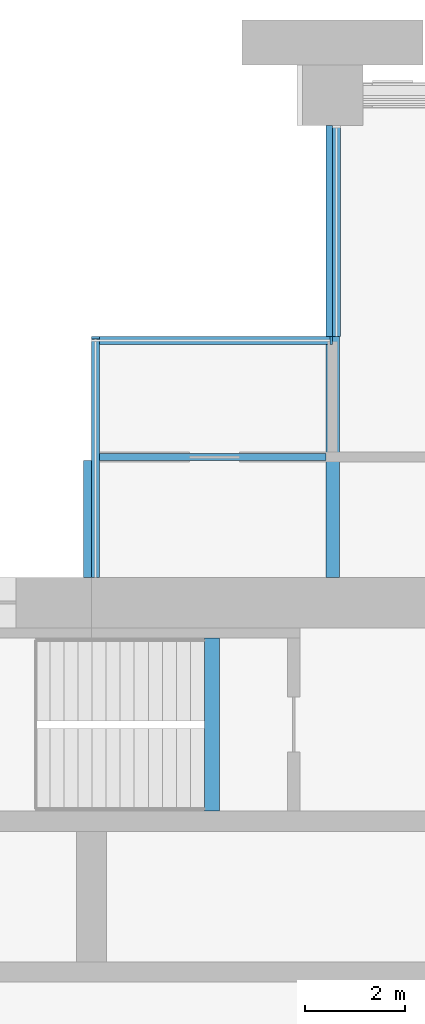
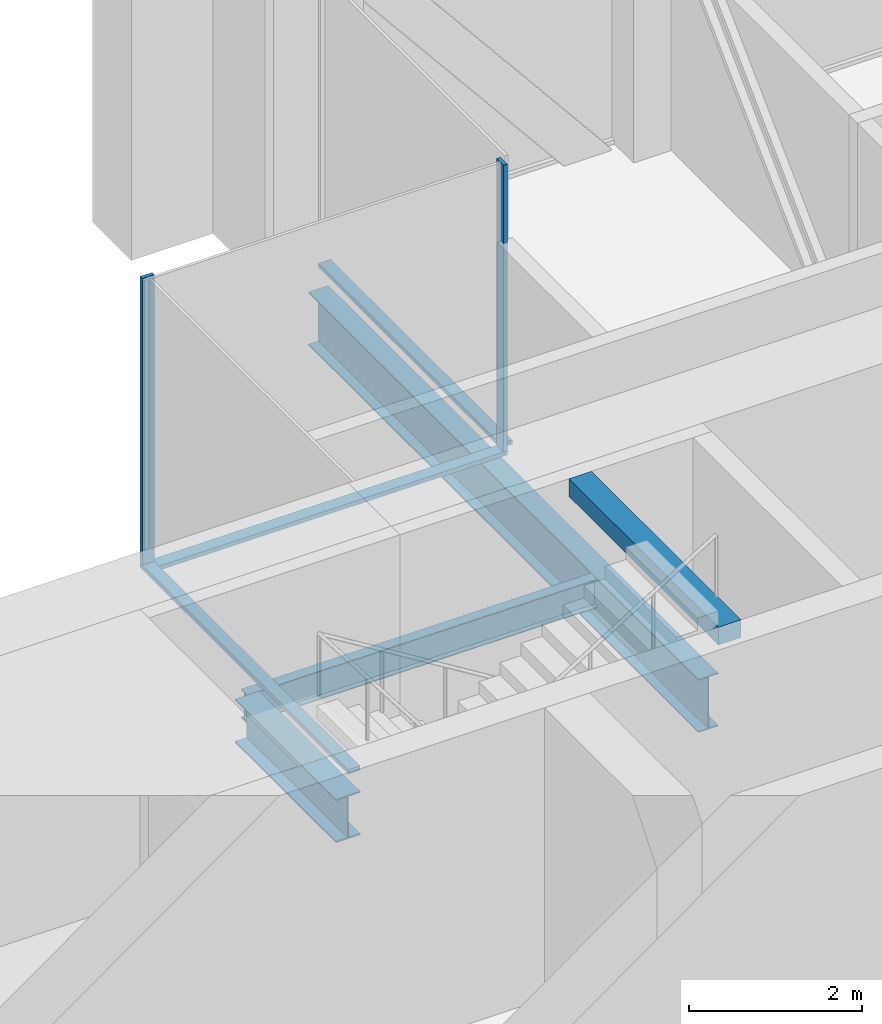
# One storey, part 5 of 14: 5 members, 4 beams, 3 elements without a shape of their own.
"""IFC4 building model written with IfcOpenShell, lengths in metres."""

from ifc_helpers import new_model, si_unit, direction, frame, origin, origin_2d, place, context, subcontext, project, spatial, rectangle, i_section, extrude, material, material_profile, profile_set, type_object, element, aggregate, save


model = new_model("IFC4")

# Units and contexts
model_context = context("Model", 3, precision=1e-05, world=origin(), true_north=direction((0.0, 1.0)))
body_context = subcontext(model_context, "Body", "Model", "MODEL_VIEW")
ifc_project = project(units=[si_unit("LENGTHUNIT", "METRE"), si_unit("AREAUNIT", "SQUARE_METRE"), si_unit("VOLUMEUNIT", "CUBIC_METRE"), si_unit("PLANEANGLEUNIT", "RADIAN"), si_unit("MASSUNIT", "GRAM", prefix="KILO")], contexts=[model_context])

# Site, building, storey
site_placement = place(None, origin())
site = spatial("IfcSite", under=ifc_project, at=site_placement, CompositionType="ELEMENT")
building_placement = place(site_placement, origin())
building = spatial("IfcBuilding", under=site, at=building_placement, Name="Baori Bourse Tower", CompositionType="ELEMENT")
storey_placement = place(building_placement, frame((0.0, 0.0, 176.10009765625)))
storey = spatial("IfcBuildingStorey", under=building, at=storey_placement, Name="L39", CompositionType="ELEMENT", Elevation=176.10009765625)

# Curtain wall, member
ifc_material_1 = material(Name="Pale anodised aluminium", Category="aluminium")
curtain_wall_type = type_object("IfcCurtainWallType", Name="CW3 Curtain wall", PredefinedType="NOTDEFINED", material=ifc_material_1)
curtain_wall_1_placement = place(storey_placement, origin())
curtain_wall_1 = element("IfcCurtainWall", 1, at=curtain_wall_1_placement, inside=storey, type_object=curtain_wall_type, Name="Curtain wall CW3 L39 6", PredefinedType="NOTDEFINED")
ifc_material_2 = material(Name="Pale anodised aluminium", Category="aluminium")
ifc_material_profile_1 = material_profile(ifc_material_2, rectangle(XDim=0.159912109375, YDim=0.050048828125, at=origin_2d()), Name="Mullion 50x160")
ifc_profile_set_1 = profile_set([ifc_material_profile_1], Name="Pale anodised aluminium")
member_type_1 = type_object("IfcMemberType", Name="CW3 Curtain wall mullion", PredefinedType="MULLION", material=ifc_profile_set_1)
member_1_placement = place(storey_placement, frame((14.375, 43.1201171875, 0.059814453125), z_axis=(0.0, 0.0, 1.0), x_axis=(0.0, -1.0, 0.0)))
member_1 = element("IfcMember", 2, at=member_1_placement, type_object=member_type_1, Name="Curtain wall CW3 mullion", PredefinedType="MULLION", context=body_context, shape_type="SweptSolid", body=[
    extrude(rectangle(XDim=0.159912109375, YDim=0.050048828125, at=origin_2d()), origin(), (0.0, 0.0, 1.0), 4.0400390625),
])

curtain_wall_2_placement = place(storey_placement, origin())
curtain_wall_2 = element("IfcCurtainWall", 3, at=curtain_wall_2_placement, inside=storey, type_object=curtain_wall_type, Name="Curtain wall CW3 L39 7", PredefinedType="NOTDEFINED")
member_2_placement = place(storey_placement, frame((9.679931640625, 43.175048828125, 0.059814453125), z_axis=(0.0, 0.0, 1.0), x_axis=(1.0, 0.0, 0.0)))
member_2 = element("IfcMember", 4, at=member_2_placement, type_object=member_type_1, Name="Curtain wall CW3 mullion", PredefinedType="MULLION", context=body_context, shape_type="SweptSolid", body=[
    extrude(rectangle(XDim=0.159912109375, YDim=0.050048828125, at=origin_2d()), origin(), (0.0, 0.0, 1.0), 4.0400390625),
])

curtain_wall_3_placement = place(storey_placement, origin())
curtain_wall_3 = element("IfcCurtainWall", 5, at=curtain_wall_3_placement, inside=storey, type_object=curtain_wall_type, Name="Curtain wall CW3 L39 5", PredefinedType="NOTDEFINED")
ifc_material_3 = material(Name="Pale anodised aluminium", Category="aluminium")
ifc_material_profile_2 = material_profile(ifc_material_3, rectangle(XDim=0.159912109375, YDim=0.06005859375, at=origin_2d()), Name="Transom 60x160")
ifc_profile_set_2 = profile_set([ifc_material_profile_2], Name="Pale anodised aluminium")
member_type_2 = type_object("IfcMemberType", Name="CW3 Curtain wall transom", PredefinedType="USERDEFINED", material=ifc_profile_set_2)
member_3_placement = place(storey_placement, frame((14.47998046875, 47.39990234375, 0.02978515625), z_axis=(0.0, -1.0, 0.0), x_axis=(1.0, 0.0, 0.0)))
member_3 = element("IfcMember", 6, at=member_3_placement, type_object=member_type_2, Name="Curtain wall CW3 sill rail", ObjectType="TRANSOM", PredefinedType="USERDEFINED", context=body_context, shape_type="SweptSolid", body=[
    extrude(rectangle(XDim=0.159912109375, YDim=0.06005859375, at=origin_2d()), origin(), (0.0, 0.0, 1.0), 4.199951171875),
])
aggregate(curtain_wall_3, [member_3])

# Member
member_4_placement = place(storey_placement, frame((14.39990234375, 43.1201171875, 0.02978515625), z_axis=(-1.0, 0.0, 0.0), x_axis=(0.0, -1.0, 0.0)))
member_4 = element("IfcMember", 7, at=member_4_placement, type_object=member_type_2, Name="Curtain wall CW3 sill rail", ObjectType="TRANSOM", PredefinedType="USERDEFINED", context=body_context, shape_type="SweptSolid", body=[
    extrude(rectangle(XDim=0.159912109375, YDim=0.06005859375, at=origin_2d()), origin(), (0.0, 0.0, 1.0), 4.7998046875),
])

aggregate(curtain_wall_1, [member_4, member_1])

member_5_placement = place(storey_placement, frame((9.679931640625, 43.199951171875, 0.02978515625), z_axis=(0.0, -1.0, 0.0), x_axis=(1.0, 0.0, 0.0)))
member_5 = element("IfcMember", 8, at=member_5_placement, type_object=member_type_2, Name="Curtain wall CW3 sill rail", ObjectType="TRANSOM", PredefinedType="USERDEFINED", context=body_context, shape_type="SweptSolid", body=[
    extrude(rectangle(XDim=0.159912109375, YDim=0.06005859375, at=origin_2d()), origin(), (0.0, 0.0, 1.0), 4.800048828125),
])

aggregate(curtain_wall_2, [member_5, member_2])

# Beams
ifc_material_4 = material(Name="Steel A992 Gr 50", Category="steel")
ifc_material_profile_3 = material_profile(ifc_material_4, i_section(OverallWidth=0.3251953125, OverallDepth=0.612060546875, WebThickness=0.0126953125, FlangeThickness=0.01904296875, at=origin_2d()), Name="W24x104")
ifc_profile_set_3 = profile_set([ifc_material_profile_3], Name="Steel A992 Gr 50")
beam_type_1 = type_object("IfcBeamType", Name="Core bracket W24x104", PredefinedType="BEAM", material=ifc_profile_set_3)
beam_1_placement = place(storey_placement, frame((9.60009765625, 38.39990234375, -0.606201171875), z_axis=(0.0, 1.0, 0.0), x_axis=(-1.0, 0.0, 0.0)))
element("IfcBeam", 9, at=beam_1_placement, inside=storey, type_object=beam_type_1, Name="Core bracket L39", PredefinedType="BEAM", context=body_context, shape_type="SweptSolid", body=[
    extrude(i_section(OverallWidth=0.3251953125, OverallDepth=0.612060546875, WebThickness=0.0126953125, FlangeThickness=0.01904296875, at=origin_2d()), origin(), (0.0, 0.0, 1.0), 2.329833984375),
])
ifc_material_5 = material(Name="Steel A992 Gr 50", Category="steel")
ifc_material_profile_4 = material_profile(ifc_material_5, i_section(OverallWidth=0.26416015625, OverallDepth=0.749267578125, WebThickness=0.011962890625, FlangeThickness=0.015380859375, at=origin_2d()), Name="W30x90")
ifc_profile_set_4 = profile_set([ifc_material_profile_4], Name="Steel A992 Gr 50")
beam_type_2 = type_object("IfcBeamType", Name="Floor beam W30x90", PredefinedType="BEAM", material=ifc_profile_set_4)
beam_2_placement = place(storey_placement, frame((14.39990234375, 38.39990234375, -0.6748046875), z_axis=(0.0, 1.0, 0.0), x_axis=(-1.0, 0.0, 0.0)))
element("IfcBeam", 10, at=beam_2_placement, inside=storey, type_object=beam_type_2, Name="Floor beam L39", PredefinedType="BEAM", context=body_context, shape_type="SweptSolid", body=[
    extrude(i_section(OverallWidth=0.26416015625, OverallDepth=0.749267578125, WebThickness=0.011962890625, FlangeThickness=0.015380859375, at=origin_2d()), origin(), (0.0, 0.0, 1.0), 9.0),
])
ifc_material_6 = material(Name="Concrete f'c 50 MPa", Category="concrete")
ifc_material_profile_5 = material_profile(ifc_material_6, rectangle(XDim=0.300048828125, YDim=0.25, at=origin_2d()), Name="RC 300x250")
ifc_profile_set_5 = profile_set([ifc_material_profile_5], Name="Concrete f'c 50 MPa")
beam_type_3 = type_object("IfcBeamType", Name="Stair nib beam RC 300x250", PredefinedType="BEAM", material=ifc_profile_set_5)
beam_3_placement = place(storey_placement, frame((12.0, 33.75, 3.974853515625), z_axis=(0.0, 1.0, 0.0), x_axis=(-1.0, 0.0, 0.0)))
element("IfcBeam", 11, at=beam_3_placement, inside=storey, type_object=beam_type_3, Name="Stair WB nib beam L40", PredefinedType="BEAM", context=body_context, shape_type="SweptSolid", body=[
    extrude(rectangle(XDim=0.300048828125, YDim=0.25, at=origin_2d()), origin(), (0.0, 0.0, 1.0), 3.449951171875),
])
ifc_material_7 = material(Name="Steel A992 Gr 50", Category="steel")
ifc_material_profile_6 = material_profile(ifc_material_7, i_section(OverallWidth=0.140380859375, OverallDepth=0.40380859375, WebThickness=0.007080078125, FlangeThickness=0.01123046875, at=origin_2d()), Name="W16x31")
ifc_profile_set_6 = profile_set([ifc_material_profile_6], Name="Steel A992 Gr 50")
beam_type_4 = type_object("IfcBeamType", Name="Trimmer beam W16x31", PredefinedType="BEAM", material=ifc_profile_set_6)
beam_4_placement = place(storey_placement, frame((9.60009765625, 40.800048828125, -0.501953125), z_axis=(1.0, 0.0, 0.0), x_axis=(0.0, 1.0, 0.0)))
element("IfcBeam", 12, at=beam_4_placement, inside=storey, type_object=beam_type_4, Name="Trimmer beam L39", PredefinedType="BEAM", context=body_context, shape_type="SweptSolid", body=[
    extrude(i_section(OverallWidth=0.140380859375, OverallDepth=0.40380859375, WebThickness=0.007080078125, FlangeThickness=0.01123046875, at=origin_2d()), origin(), (0.0, 0.0, 1.0), 4.667724609375),
])

save(model, "model.ifc")
